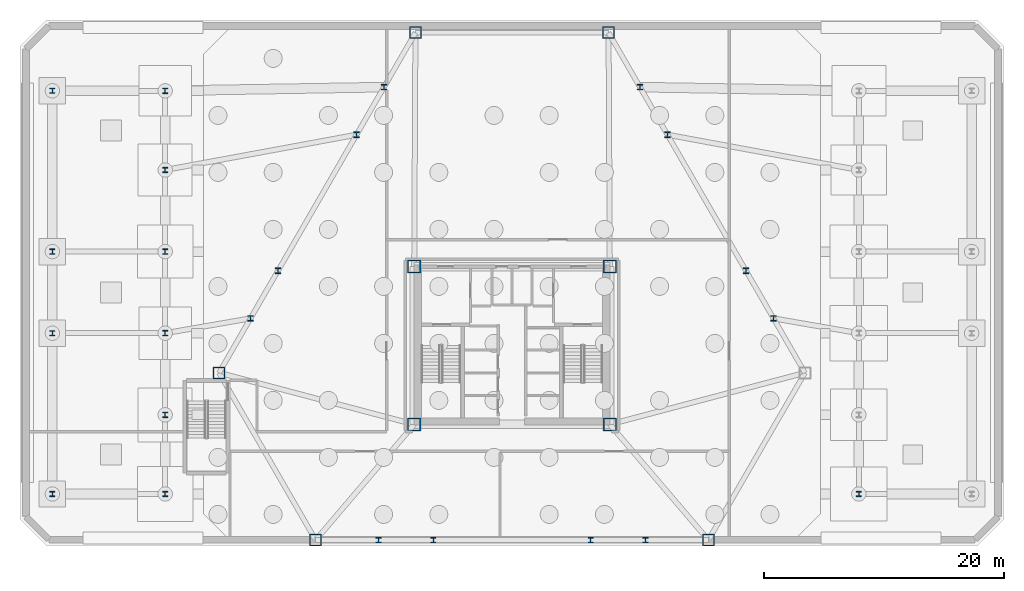
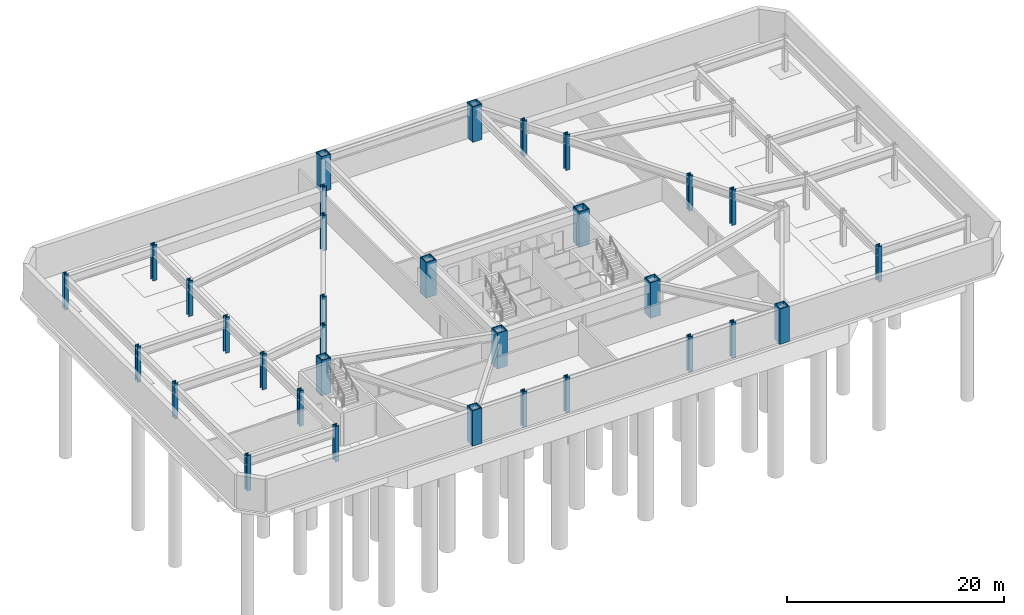
# One storey, part 2 of 8: 32 columns.
"""IFC4 building model written with IfcOpenShell, lengths in metres."""

from ifc_helpers import new_model, si_unit, direction, frame, origin, origin_2d, place, context, subcontext, project, spatial, hollow_rectangle, i_section, extrude, material, material_profile, profile_set, type_object, element, save


model = new_model("IFC4")

# Units and contexts
model_context = context("Model", 3, precision=1e-05, world=origin(), true_north=direction((0.0, 1.0)))
body_context = subcontext(model_context, "Body", "Model", "MODEL_VIEW")
ifc_project = project(units=[si_unit("LENGTHUNIT", "METRE"), si_unit("AREAUNIT", "SQUARE_METRE"), si_unit("VOLUMEUNIT", "CUBIC_METRE"), si_unit("PLANEANGLEUNIT", "RADIAN"), si_unit("MASSUNIT", "GRAM", prefix="KILO")], contexts=[model_context])

# Site, building, storey
site_placement = place(None, origin())
site = spatial("IfcSite", under=ifc_project, at=site_placement, CompositionType="ELEMENT")
building_placement = place(site_placement, origin())
building = spatial("IfcBuilding", under=site, at=building_placement, Name="Oramaril Tower", CompositionType="ELEMENT")
storey_placement = place(building_placement, frame((0.0, 0.0, -8.0)))
storey = spatial("IfcBuildingStorey", under=building, at=storey_placement, Name="B02", CompositionType="ELEMENT", Elevation=-8.0)

# Columns
ifc_material_1 = material(Name="Steel ASTM A572 Gr 50", Category="steel")
ifc_material_profile_1 = material_profile(ifc_material_1, hollow_rectangle(XDim=1.10009765625, YDim=1.10009765625, WallThickness=0.090087890625, at=origin_2d()), Name="BOX1100X1100X90")
ifc_profile_set_1 = profile_set([ifc_material_profile_1], Name="Steel ASTM A572 Gr 50")
column_type_1 = type_object("IfcColumnType", Name="CT-CC1", PredefinedType="COLUMN", material=ifc_profile_set_1)
for number, where, z_axis, x_axis, name in (
    (1, (29.35009765625, 11.0, 0.0), (0.0, 0.0, 1.0), (1.0, 0.0, 0.0), "B02 Core Column CC-1"),
    (2, (45.64990234375, 11.0, 0.0), (0.0, 0.0, 1.0), (1.0, 0.0, 0.0), "B02 Core Column CC-2"),
    (3, (45.64990234375, 24.14990234375, 0.0), (0.0, 0.0, 1.0), (1.0, 0.0, 0.0), "B02 Core Column CC-3"),
    (4, (29.35009765625, 24.14990234375, 0.0), (0.0, 0.0, 1.0), (1.0, 0.0, 0.0), "B02 Core Column CC-4"),
):
    element("IfcColumn", number, at=place(storey_placement, frame(where, z_axis=z_axis, x_axis=x_axis)), inside=storey, type_object=column_type_1, Name=name, PredefinedType="COLUMN", context=body_context, shape_type="SweptSolid", body=[
        extrude(hollow_rectangle(XDim=1.10009765625, YDim=1.10009765625, WallThickness=0.090087890625, at=origin_2d()), origin(), (0.0, 0.0, 1.0), 4.0),
    ])
ifc_material_2 = material(Name="Steel ASTM A572 Gr 50", Category="steel")
ifc_material_profile_2 = material_profile(ifc_material_2, hollow_rectangle(XDim=1.0, YDim=1.0, WallThickness=0.0849609375, at=origin_2d()), Name="BOX1000X1000X85")
ifc_profile_set_2 = profile_set([ifc_material_profile_2], Name="Steel ASTM A572 Gr 50")
column_type_2 = type_object("IfcColumnType", Name="CT-TC1", PredefinedType="COLUMN", material=ifc_profile_set_2)
for number, where, z_axis, x_axis, name in (
    (5, (13.089599609375, 15.300048828125, 0.0), (0.0, 0.0, 1.0), (1.0, 0.0, 0.0), "B02 Tube Column TC-01"),
    (6, (21.137939453125, 1.360107421875, 0.0), (0.0, 0.0, 1.0), (1.0, 0.0, 0.0), "B02 Tube Column TC-02"),
    (7, (53.862060546875, 1.360107421875, 0.0), (0.0, 0.0, 1.0), (1.0, 0.0, 0.0), "B02 Tube Column TC-03"),
    (8, (45.548095703125, 43.639892578125, 0.0), (0.0, 0.0, 1.0), (1.0, 0.0, 0.0), "B02 Tube Column TC-05"),
    (9, (29.451904296875, 43.639892578125, 0.0), (0.0, 0.0, 1.0), (1.0, 0.0, 0.0), "B02 Tube Column TC-06"),
):
    element("IfcColumn", number, at=place(storey_placement, frame(where, z_axis=z_axis, x_axis=x_axis)), inside=storey, type_object=column_type_2, Name=name, PredefinedType="COLUMN", context=body_context, shape_type="SweptSolid", body=[
        extrude(hollow_rectangle(XDim=1.0, YDim=1.0, WallThickness=0.0849609375, at=origin_2d()), origin(), (0.0, 0.0, 1.0), 3.99560546875),
    ])
ifc_material_3 = material(Name="Steel ASTM A572 Gr 50", Category="steel")
ifc_material_profile_3 = material_profile(ifc_material_3, i_section(OverallWidth=0.422119140625, OverallDepth=0.465087890625, WebThickness=0.044921875, FlangeThickness=0.072021484375, at=origin_2d()), Name="W14X398")
ifc_profile_set_3 = profile_set([ifc_material_profile_3], Name="Steel ASTM A572 Gr 50")
column_type_3 = type_object("IfcColumnType", Name="CT-TF1", PredefinedType="COLUMN", material=ifc_profile_set_3)
for number, where, z_axis, x_axis, name in (
    (10, (26.373779296875, 1.360107421875, 0.0), (0.0, 0.0, 1.0), (1.0, 0.0, 0.0), "B02 Tube Column TC-07"),
    (11, (30.955078125, 1.360107421875, 0.0), (0.0, 0.0, 1.0), (1.0, 0.0, 0.0), "B02 Tube Column TC-08"),
    (12, (44.044921875, 1.360107421875, 0.0), (0.0, 0.0, 1.0), (1.0, 0.0, 0.0), "B02 Tube Column TC-09"),
    (13, (48.626220703125, 1.360107421875, 0.0), (0.0, 0.0, 1.0), (1.0, 0.0, 0.0), "B02 Tube Column TC-10"),
    (14, (59.29248046875, 19.83447265625, 0.0), (0.0, 0.0, 1.0), (1.0, 0.0, 0.0), "B02 Tube Column TC-11"),
    (15, (57.001708984375, 23.802001953125, 0.0), (0.0, 0.0, 1.0), (1.0, 0.0, 0.0), "B02 Tube Column TC-12"),
    (16, (50.456787109375, 35.137939453125, 0.0), (0.0, 0.0, 1.0), (1.0, 0.0, 0.0), "B02 Tube Column TC-13"),
    (17, (48.166015625, 39.105712890625, 0.0), (0.0, 0.0, 1.0), (1.0, 0.0, 0.0), "B02 Tube Column TC-14"),
    (18, (26.833984375, 39.105712890625, 0.0), (0.0, 0.0, 1.0), (1.0, 0.0, 0.0), "B02 Tube Column TC-15"),
    (19, (24.543212890625, 35.137939453125, 0.0), (0.0, 0.0, 1.0), (1.0, 0.0, 0.0), "B02 Tube Column TC-16"),
    (20, (17.998291015625, 23.802001953125, 0.0), (0.0, 0.0, 1.0), (1.0, 0.0, 0.0), "B02 Tube Column TC-17"),
    (21, (15.70751953125, 19.83447265625, 0.0), (0.0, 0.0, 1.0), (1.0, 0.0, 0.0), "B02 Tube Column TC-18"),
):
    element("IfcColumn", number, at=place(storey_placement, frame(where, z_axis=z_axis, x_axis=x_axis)), inside=storey, type_object=column_type_3, Name=name, PredefinedType="COLUMN", context=body_context, shape_type="SweptSolid", body=[
        extrude(i_section(OverallWidth=0.422119140625, OverallDepth=0.465087890625, WebThickness=0.044921875, FlangeThickness=0.072021484375, at=origin_2d()), origin(), (0.0, 0.0, 1.0), 3.99560546875),
    ])
for number, where, z_axis, x_axis, name in (
    (22, (8.60009765625, 5.199951171875, 0.0), (0.0, 0.0, 1.0), (1.0, 0.0, 0.0), "B02 Podium Column PCOL-01"),
    (23, (8.60009765625, 11.800048828125, 0.0), (0.0, 0.0, 1.0), (1.0, 0.0, 0.0), "B02 Podium Column PCOL-02"),
    (24, (8.60009765625, 18.60009765625, 0.0), (0.0, 0.0, 1.0), (1.0, 0.0, 0.0), "B02 Podium Column PCOL-03"),
    (25, (8.60009765625, 25.39990234375, 0.0), (0.0, 0.0, 1.0), (1.0, 0.0, 0.0), "B02 Podium Column PCOL-04"),
    (26, (8.60009765625, 32.199951171875, 0.0), (0.0, 0.0, 1.0), (1.0, 0.0, 0.0), "B02 Podium Column PCOL-05"),
    (27, (8.60009765625, 38.800048828125, 0.0), (0.0, 0.0, 1.0), (1.0, 0.0, 0.0), "B02 Podium Column PCOL-06"),
    (28, (66.39990234375, 5.199951171875, 0.0), (0.0, 0.0, 1.0), (1.0, 0.0, 0.0), "B02 Podium Column PCOL-07"),
):
    element("IfcColumn", number, at=place(storey_placement, frame(where, z_axis=z_axis, x_axis=x_axis)), inside=storey, type_object=column_type_3, Name=name, PredefinedType="COLUMN", context=body_context, shape_type="SweptSolid", body=[
        extrude(i_section(OverallWidth=0.422119140625, OverallDepth=0.465087890625, WebThickness=0.044921875, FlangeThickness=0.072021484375, at=origin_2d()), origin(), (0.0, 0.0, 1.0), 4.0),
    ])
ifc_material_4 = material(Name="Steel ASTM A572 Gr 50", Category="steel")
ifc_material_profile_4 = material_profile(ifc_material_4, i_section(OverallWidth=0.410888671875, OverallDepth=0.43408203125, WebThickness=0.035888671875, FlangeThickness=0.057373046875, at=origin_2d()), Name="W14X311")
ifc_profile_set_4 = profile_set([ifc_material_profile_4], Name="Steel ASTM A572 Gr 50")
column_type_4 = type_object("IfcColumnType", Name="CT-TF2", PredefinedType="COLUMN", material=ifc_profile_set_4)
for number, where, z_axis, x_axis, name in (
    (29, (-0.800048828125, 5.199951171875, 0.0), (0.0, 0.0, 1.0), (1.0, 0.0, 0.0), "B02 Lower Podium Wing Column WCOL-01"),
    (30, (-0.800048828125, 18.60009765625, 0.0), (0.0, 0.0, 1.0), (1.0, 0.0, 0.0), "B02 Lower Podium Wing Column WCOL-02"),
    (31, (-0.800048828125, 25.39990234375, 0.0), (0.0, 0.0, 1.0), (1.0, 0.0, 0.0), "B02 Lower Podium Wing Column WCOL-03"),
    (32, (-0.800048828125, 38.800048828125, 0.0), (0.0, 0.0, 1.0), (1.0, 0.0, 0.0), "B02 Lower Podium Wing Column WCOL-04"),
):
    element("IfcColumn", number, at=place(storey_placement, frame(where, z_axis=z_axis, x_axis=x_axis)), inside=storey, type_object=column_type_4, Name=name, PredefinedType="COLUMN", context=body_context, shape_type="SweptSolid", body=[
        extrude(i_section(OverallWidth=0.410888671875, OverallDepth=0.43408203125, WebThickness=0.035888671875, FlangeThickness=0.057373046875, at=origin_2d()), origin(), (0.0, 0.0, 1.0), 4.0),
    ])

save(model, "model.ifc")
